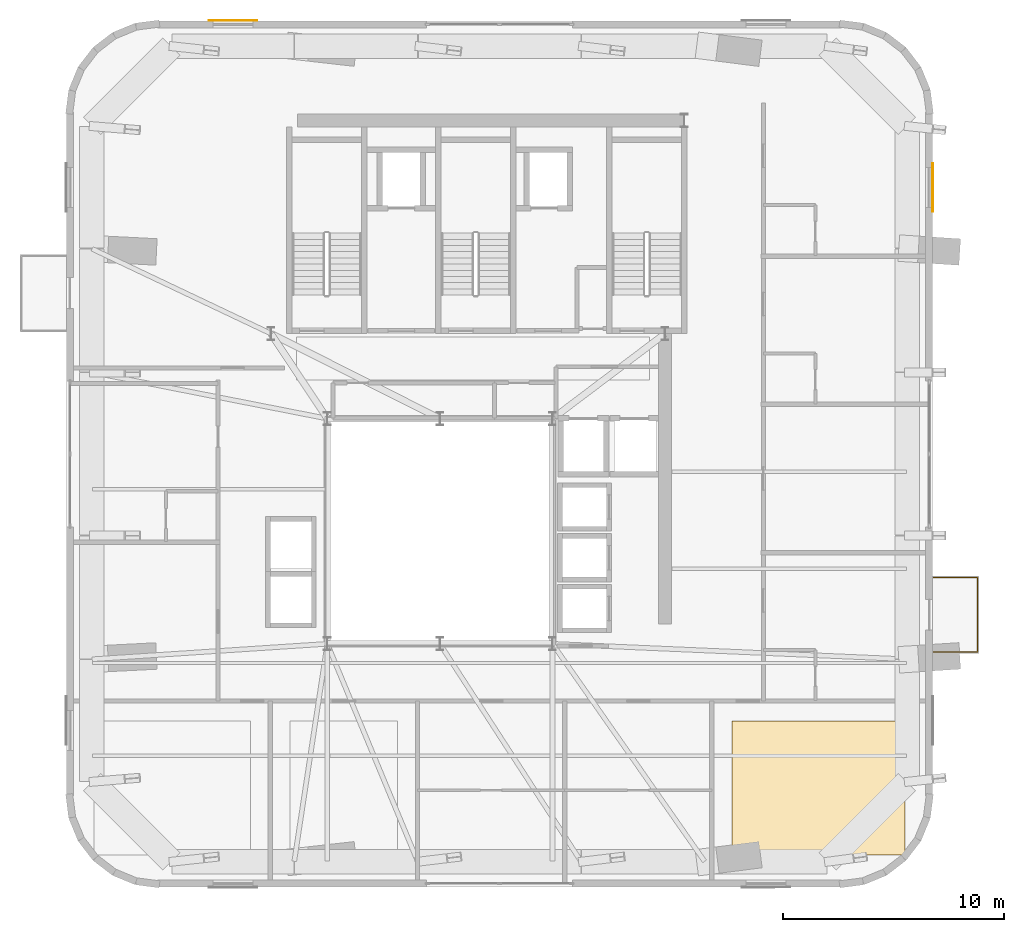
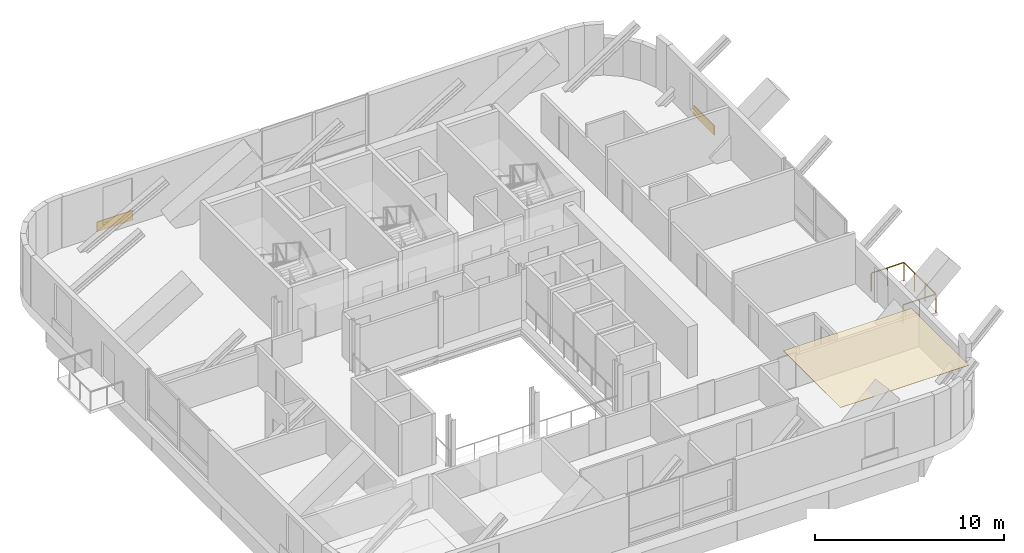
# One storey, part 12 of 12: 3 coverings, 1 railing.
"""IFC4 building model written with IfcOpenShell, lengths in metres."""

from ifc_helpers import new_model, si_unit, direction, frame, origin, origin_2d, place, context, subcontext, project, spatial, polyline, rectangle, outline, extrude, source, transform, mapped, material, layer, layer_set, type_object, element, save


model = new_model("IFC4")

# Units and contexts
model_context = context("Model", 3, precision=1e-05, world=origin(), true_north=direction((0.0, 1.0)))
body_context = subcontext(model_context, "Body", "Model", "MODEL_VIEW")
ifc_project = project(units=[si_unit("LENGTHUNIT", "METRE"), si_unit("AREAUNIT", "SQUARE_METRE"), si_unit("VOLUMEUNIT", "CUBIC_METRE"), si_unit("PLANEANGLEUNIT", "RADIAN"), si_unit("MASSUNIT", "GRAM", prefix="KILO")], contexts=[model_context])

# Site, building, storey
site_placement = place(None, origin())
site = spatial("IfcSite", under=ifc_project, at=site_placement, CompositionType="ELEMENT")
building_placement = place(site_placement, origin())
building = spatial("IfcBuilding", under=site, at=building_placement, Name="Vardaveli Station Tower", CompositionType="ELEMENT")
storey_placement = place(building_placement, frame((0.0, 0.0, 282.199951171875)))
storey = spatial("IfcBuildingStorey", under=building, at=storey_placement, Name="L72", CompositionType="ELEMENT", Elevation=282.199951171875)

# Coverings
ifc_material_1 = material(Name="Perforated acoustic mineral ceiling")
ifc_layer_1 = layer(ifc_material_1, 0.02001953125, Name="Perforated acoustic mineral ceiling")
ifc_layer_set_1 = layer_set([ifc_layer_1], Name="Perforated acoustic mineral ceiling")
covering_type_1 = type_object("IfcCoveringType", Name="COV-CEIL-AC20", PredefinedType="CEILING", material=ifc_layer_set_1)
covering_placement = place(storey_placement, frame((0.0, 0.0, 3.28515625)))
element("IfcCovering", 1, at=covering_placement, inside=storey, type_object=covering_type_1, Name="CEIL-L72-3", PredefinedType="CEILING", context=body_context, shape_type="SweptSolid", body=[
    extrude(outline(polyline([(49.52001953125, 7.030029296875), (57.3701171875, 7.030029296875), (57.3701171875, 13.110107421875), (49.52001953125, 13.110107421875), (49.52001953125, 7.030029296875)])), origin(), (0.0, 0.0, 1.0), 0.019775390625),
])
ifc_material_2 = material(Name="Ventilated honed travertine stone cladding", Category="masonry")
ifc_layer_2 = layer(ifc_material_2, 0.044921875, Name="Ventilated honed travertine stone cladding")
ifc_layer_set_2 = layer_set([ifc_layer_2], Name="Ventilated honed travertine stone cladding")
covering_type_2 = type_object("IfcCoveringType", Name="COV-CLAD-TR45", PredefinedType="CLADDING", material=ifc_layer_set_2)
shared_shape_1 = source(origin(), body_context, "Body", "SweptSolid", [
    extrude(rectangle(XDim=2.199951171875, YDim=0.044921875, at=origin_2d()), origin(), (0.0, 0.0, 1.0), 0.6201171875),
])
for number, where, z_axis, x_axis, name in (
    (2, (26.925048828125, 44.83447265625, 0.070068359375), (0.0, 0.0, 1.0), (1.0, 0.0, 0.0), "CLD-TR-L72-N"),
    (3, (58.634521484375, 37.27490234375, 0.070068359375), (0.0, 0.0, 1.0), (0.0, 1.0, 0.0), "CLD-TR-L72-E"),
):
    element("IfcCovering", number, at=place(storey_placement, frame(where, z_axis=z_axis, x_axis=x_axis)), inside=storey, type_object=covering_type_2, Name=name, PredefinedType="CLADDING", context=body_context, shape_type="MappedRepresentation", body=[
        mapped(shared_shape_1, transform((0.0, 0.0, 0.0), scale=1.0)),
    ])

# Railing
ifc_material_3 = material(Name="Laminated glass and stainless steel balustrade", Category="steel")
railing_type = type_object("IfcRailingType", Name="RL-BAL-1200", PredefinedType="BALUSTRADE", material=ifc_material_3)
shared_shape_2 = source(origin(), body_context, "Body", "SweptSolid", [
    extrude(rectangle(XDim=0.048095703125, YDim=0.048095703125, at=origin_2d()), frame((0.0, 0.0, 1.17578125), z_axis=(1.0, 0.0, 0.0), x_axis=(0.0, 1.0, 0.0)), (0.0, 0.0, 1.0), 2.0),
    extrude(rectangle(XDim=0.048095703125, YDim=0.048095703125, at=origin_2d()), frame((2.0, 0.0, 1.17578125), z_axis=(0.0, 1.0, 0.0), x_axis=(-1.0, 0.0, 0.0)), (0.0, 0.0, 1.0), 3.3798828125),
    extrude(rectangle(XDim=0.048095703125, YDim=0.048095703125, at=origin_2d()), frame((2.0, 3.3798828125, 1.17578125), z_axis=(-1.0, 0.0, 0.0), x_axis=(0.0, -1.0, 0.0)), (0.0, 0.0, 1.0), 2.0),
    extrude(rectangle(XDim=0.0419921875, YDim=0.0419921875, at=origin_2d()), origin(), (0.0, 0.0, 1.0), 1.15185546875),
    extrude(rectangle(XDim=0.0419921875, YDim=0.0419921875, at=origin_2d()), frame((1.0, 0.0, 0.0)), (0.0, 0.0, 1.0), 1.15185546875),
    extrude(rectangle(XDim=0.0419921875, YDim=0.0419921875, at=origin_2d()), frame((2.0, 0.0, 0.0)), (0.0, 0.0, 1.0), 1.15185546875),
    extrude(rectangle(XDim=0.0419921875, YDim=0.0419921875, at=origin_2d()), frame((2.0, 1.126708984375, 0.0)), (0.0, 0.0, 1.0), 1.15185546875),
    extrude(rectangle(XDim=0.0419921875, YDim=0.0419921875, at=origin_2d()), frame((2.0, 2.253173828125, 0.0)), (0.0, 0.0, 1.0), 1.15185546875),
    extrude(rectangle(XDim=0.0419921875, YDim=0.0419921875, at=origin_2d()), frame((2.0, 3.3798828125, 0.0)), (0.0, 0.0, 1.0), 1.15185546875),
    extrude(rectangle(XDim=0.0419921875, YDim=0.0419921875, at=origin_2d()), frame((1.0, 3.3798828125, 0.0)), (0.0, 0.0, 1.0), 1.15185546875),
    extrude(rectangle(XDim=0.0419921875, YDim=0.0419921875, at=origin_2d()), frame((0.0, 3.3798828125, 0.0)), (0.0, 0.0, 1.0), 1.15185546875),
])
railing_placement = place(storey_placement, frame((58.659912109375, 16.22607421875, 0.0)))
element("IfcRailing", 4, at=railing_placement, inside=storey, type_object=railing_type, Name="RL-LOG-L72-02", PredefinedType="BALUSTRADE", context=body_context, shape_type="MappedRepresentation", body=[
    mapped(shared_shape_2, transform((0.0, 0.0, 0.0), scale=1.0)),
])

save(model, "model.ifc")
